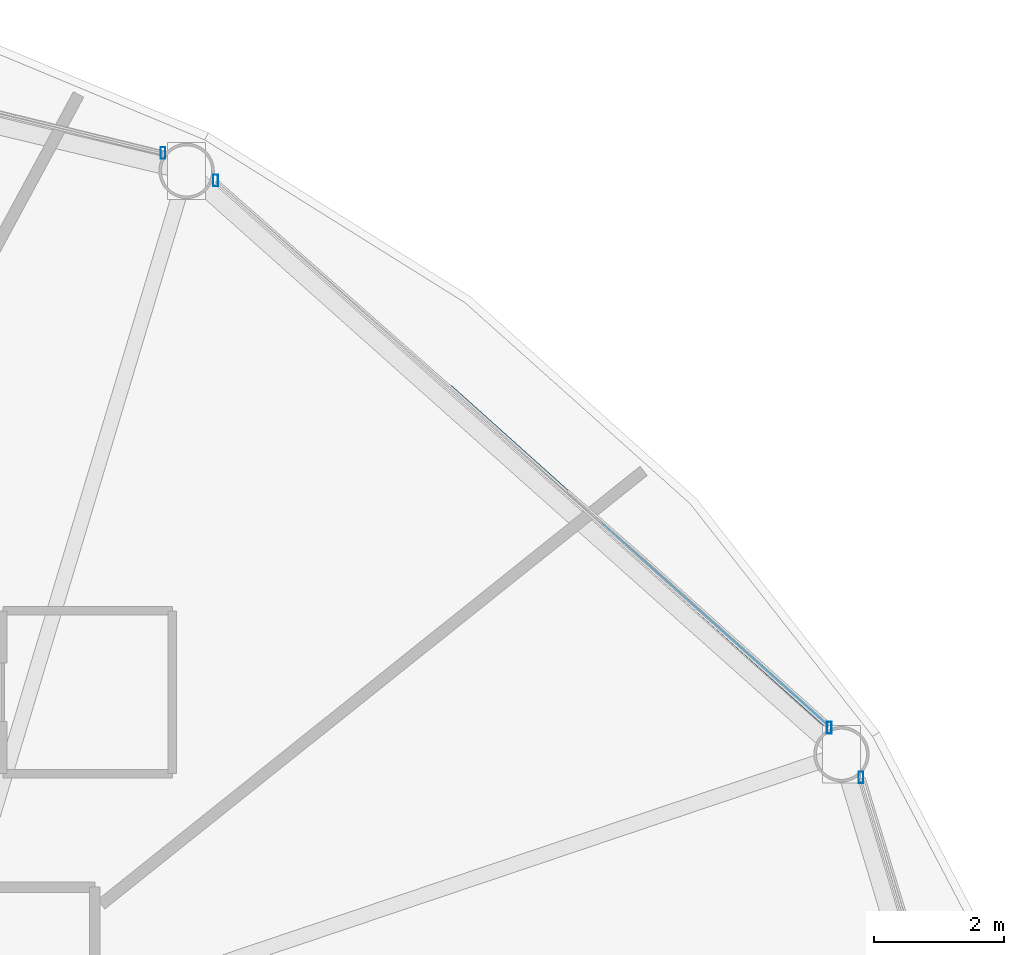
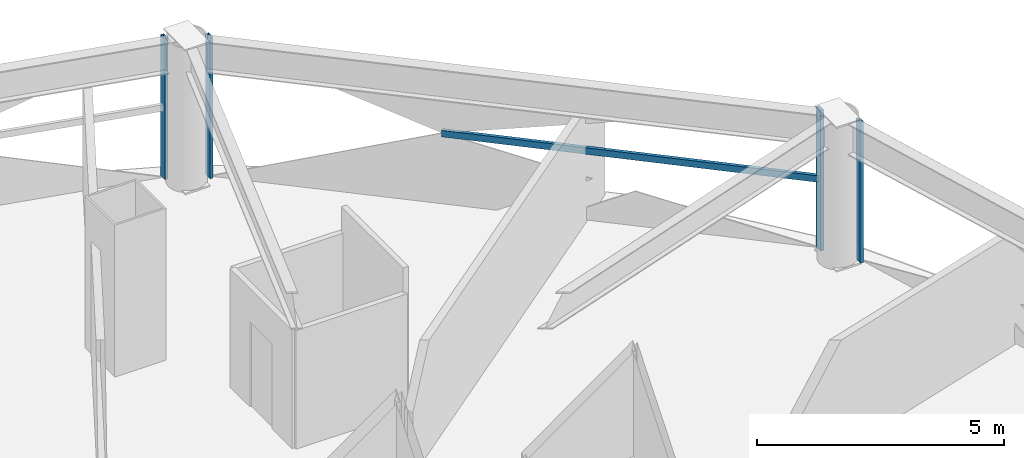
# One storey, part 19 of 29: 5 members, 3 elements without a shape of their own.
"""IFC4 building model written with IfcOpenShell, lengths in metres."""

from ifc_helpers import new_model, si_unit, direction, frame, origin, origin_2d, place, context, subcontext, project, spatial, hollow_rectangle, extrude, material, layer, layer_set, material_profile, profile_set, type_object, element, aggregate, save


model = new_model("IFC4")

# Units and contexts
model_context = context("Model", 3, precision=1e-05, world=origin(), true_north=direction((0.0, 1.0)))
body_context = subcontext(model_context, "Body", "Model", "MODEL_VIEW")
ifc_project = project(units=[si_unit("LENGTHUNIT", "METRE"), si_unit("AREAUNIT", "SQUARE_METRE"), si_unit("VOLUMEUNIT", "CUBIC_METRE"), si_unit("PLANEANGLEUNIT", "RADIAN"), si_unit("MASSUNIT", "GRAM", prefix="KILO")], contexts=[model_context])

# Site, building, storey
site_placement = place(None, origin())
site = spatial("IfcSite", under=ifc_project, at=site_placement, CompositionType="ELEMENT")
building_placement = place(site_placement, origin())
building = spatial("IfcBuilding", under=site, at=building_placement, Name="Vantalir Tower", CompositionType="ELEMENT")
storey_placement = place(building_placement, frame((0.0, 0.0, 60.75)))
storey = spatial("IfcBuildingStorey", under=building, at=storey_placement, Name="L14", CompositionType="ELEMENT", Elevation=60.75)

# Curtain wall, member
ifc_material_1 = material(Name="Champagne-silver PVDF aluminium and double-silver Low-E glass", Category="aluminium")
ifc_layer = layer(ifc_material_1, 0.18994140625)
ifc_layer_set = layer_set([ifc_layer], Name="Champagne-silver PVDF aluminium and double-silver Low-E glass")
curtain_wall_type = type_object("IfcCurtainWallType", Name="CW-DIAMOND-Z1", PredefinedType="USERDEFINED", material=ifc_layer_set)
curtain_wall_1_placement = place(storey_placement, origin())
curtain_wall_1 = element("IfcCurtainWall", 1, at=curtain_wall_1_placement, inside=storey, type_object=curtain_wall_type, Name="L14 Quilted Pyramid-Diamond Curtain Wall S01", ObjectType="UNITISED CURTAIN WALL", PredefinedType="USERDEFINED")
ifc_material_2 = material(Name="Champagne-silver PVDF aluminium 6063-T6", Category="aluminium")
ifc_material_profile_1 = material_profile(ifc_material_2, hollow_rectangle(XDim=0.074951171875, YDim=0.179931640625, WallThickness=0.00390625, at=origin_2d()), Name="Champagne-silver PVDF aluminium 6063-T6")
ifc_profile_set_1 = profile_set([ifc_material_profile_1], Name="Champagne-silver PVDF aluminium 6063-T6")
member_type_1 = type_object("IfcMemberType", Name="CWM-180x75", PredefinedType="MULLION", material=ifc_profile_set_1)
member_1_placement = place(storey_placement, frame((55.572998046875, 36.8701171875, 0.044921875), z_axis=(0.0, 0.0, 1.0), x_axis=(1.0, 0.0, 0.0)))
member_1 = element("IfcMember", 2, at=member_1_placement, type_object=member_type_1, Name="CW-L14-S01 Mullion 2", PredefinedType="MULLION", context=body_context, shape_type="SweptSolid", body=[
    extrude(hollow_rectangle(XDim=0.074951171875, YDim=0.179931640625, WallThickness=0.00390625, at=origin_2d()), origin(), (0.0, 0.0, 1.0), 3.47998046875),
])
aggregate(curtain_wall_1, [member_1])

# Curtain wall, members
curtain_wall_2_placement = place(storey_placement, origin())
curtain_wall_2 = element("IfcCurtainWall", 3, at=curtain_wall_2_placement, inside=storey, type_object=curtain_wall_type, Name="L14 Quilted Pyramid-Diamond Curtain Wall S02", ObjectType="UNITISED CURTAIN WALL", PredefinedType="USERDEFINED")
member_2_placement = place(storey_placement, frame((55.0869140625, 37.633056640625, 0.044921875), z_axis=(0.0, 0.0, 1.0), x_axis=(1.0, 0.0, 0.0)))
member_2 = element("IfcMember", 4, at=member_2_placement, type_object=member_type_1, Name="CW-L14-S02 Mullion 1", PredefinedType="MULLION", context=body_context, shape_type="SweptSolid", body=[
    extrude(hollow_rectangle(XDim=0.074951171875, YDim=0.179931640625, WallThickness=0.00390625, at=origin_2d()), origin(), (0.0, 0.0, 1.0), 3.47998046875),
])
member_3_placement = place(storey_placement, frame((45.672119140625, 46.027099609375, 0.044921875), z_axis=(0.0, 0.0, 1.0), x_axis=(1.0, 0.0, 0.0)))
member_3 = element("IfcMember", 5, at=member_3_placement, type_object=member_type_1, Name="CW-L14-S02 Mullion 2", PredefinedType="MULLION", context=body_context, shape_type="SweptSolid", body=[
    extrude(hollow_rectangle(XDim=0.074951171875, YDim=0.179931640625, WallThickness=0.00390625, at=origin_2d()), origin(), (0.0, 0.0, 1.0), 3.47998046875),
])

# Curtain wall, member
curtain_wall_3_placement = place(storey_placement, origin())
curtain_wall_3 = element("IfcCurtainWall", 6, at=curtain_wall_3_placement, inside=storey, type_object=curtain_wall_type, Name="L14 Quilted Pyramid-Diamond Curtain Wall S03", ObjectType="UNITISED CURTAIN WALL", PredefinedType="USERDEFINED")
member_4_placement = place(storey_placement, frame((44.864013671875, 46.448974609375, 0.044921875), z_axis=(0.0, 0.0, 1.0), x_axis=(1.0, 0.0, 0.0)))
member_4 = element("IfcMember", 7, at=member_4_placement, type_object=member_type_1, Name="CW-L14-S03 Mullion 1", PredefinedType="MULLION", context=body_context, shape_type="SweptSolid", body=[
    extrude(hollow_rectangle(XDim=0.074951171875, YDim=0.179931640625, WallThickness=0.00390625, at=origin_2d()), origin(), (0.0, 0.0, 1.0), 3.47998046875),
])
aggregate(curtain_wall_3, [member_4])

# Member
ifc_material_profile_2 = material_profile(ifc_material_2, hollow_rectangle(XDim=0.074951171875, YDim=0.159912109375, WallThickness=0.00390625, at=origin_2d()), Name="Champagne-silver PVDF aluminium 6063-T6")
ifc_profile_set_2 = profile_set([ifc_material_profile_2], Name="Champagne-silver PVDF aluminium 6063-T6")
member_type_2 = type_object("IfcMemberType", Name="CWT-160x75", PredefinedType="USERDEFINED", material=ifc_profile_set_2)
member_5_placement = place(storey_placement, frame((55.0869140625, 37.633056640625, 1.784912109375), z_axis=(-0.744367641192, 0.667770031332, 0.0), x_axis=(-0.667770031332, -0.744367641192, 0.0)))
member_5 = element("IfcMember", 8, at=member_5_placement, type_object=member_type_2, Name="CW-L14-S02 Pyramid Fold Ridge Transom", ObjectType="TRANSOM", PredefinedType="USERDEFINED", context=body_context, shape_type="SweptSolid", body=[
    extrude(hollow_rectangle(XDim=0.074951171875, YDim=0.159912109375, WallThickness=0.00390625, at=origin_2d()), origin(), (0.0, 0.0, 1.0), 7.818359375),
])

aggregate(curtain_wall_2, [member_2, member_3, member_5])

save(model, "model.ifc")
